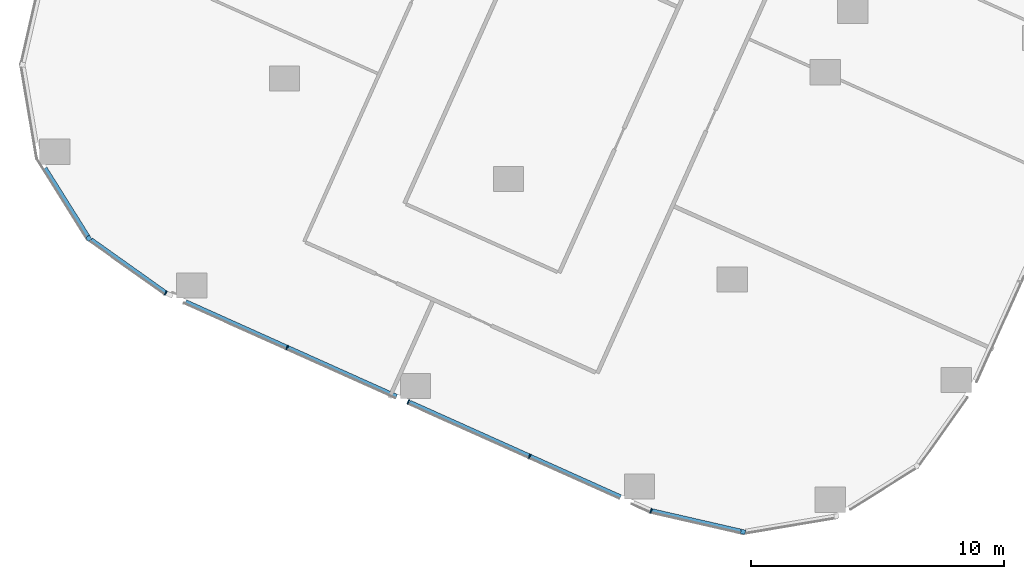
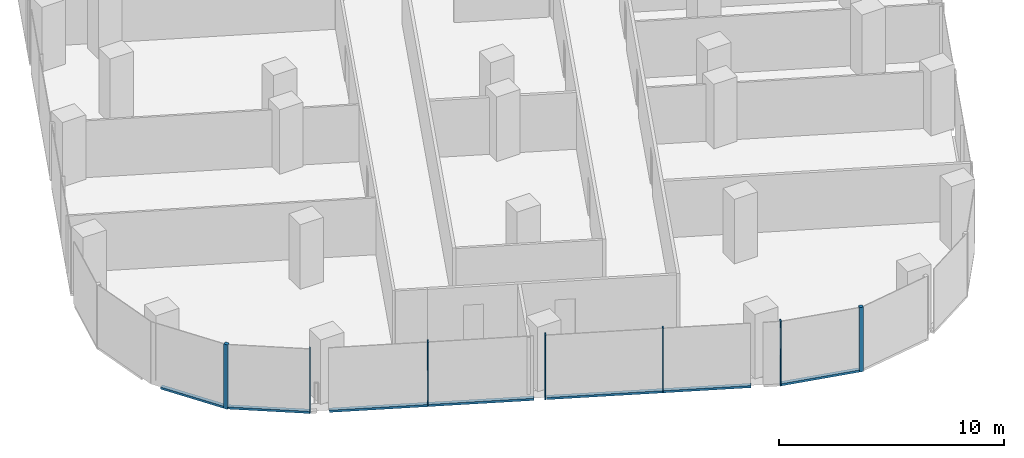
# One storey, part 2 of 34: 12 members, 4 elements without a shape of their own.
"""IFC4 building model written with IfcOpenShell, lengths in metres."""

from ifc_helpers import new_model, si_unit, direction, frame, origin, origin_2d, place, context, subcontext, project, spatial, rectangle, extrude, material, material_profile, profile_set, type_object, element, aggregate, save


model = new_model("IFC4")

# Units and contexts
model_context = context("Model", 3, precision=1e-05, world=origin(), true_north=direction((0.0, 1.0)))
body_context = subcontext(model_context, "Body", "Model", "MODEL_VIEW")
ifc_project = project(units=[si_unit("LENGTHUNIT", "METRE"), si_unit("AREAUNIT", "SQUARE_METRE"), si_unit("VOLUMEUNIT", "CUBIC_METRE"), si_unit("PLANEANGLEUNIT", "RADIAN"), si_unit("MASSUNIT", "GRAM", prefix="KILO")], contexts=[model_context])

# Site, building, storey
site_placement = place(None, origin())
site = spatial("IfcSite", under=ifc_project, at=site_placement, CompositionType="ELEMENT")
building_placement = place(site_placement, origin())
building = spatial("IfcBuilding", under=site, at=building_placement, Name="Orlundy Tower", CompositionType="ELEMENT")
storey_placement = place(building_placement, frame((0.0, 0.0, 127.199951171875)))
storey = spatial("IfcBuildingStorey", under=building, at=storey_placement, Name="L32", CompositionType="ELEMENT", Elevation=127.199951171875)

# Curtain wall, member
ifc_material_1 = material(Name="Aluminium bronze anodised", Category="aluminium")
curtain_wall_type = type_object("IfcCurtainWallType", Name="CW1 wall", PredefinedType="NOTDEFINED", material=ifc_material_1)
curtain_wall_1_placement = place(storey_placement, origin())
curtain_wall_1 = element("IfcCurtainWall", 1, at=curtain_wall_1_placement, inside=storey, type_object=curtain_wall_type, Name="CW1 run 022", PredefinedType="NOTDEFINED")
ifc_material_2 = material(Name="Aluminium bronze anodised", Category="aluminium")
ifc_material_profile_1 = material_profile(ifc_material_2, rectangle(XDim=0.179931640625, YDim=0.179931640625, at=origin_2d()), Name="CW1 corner post 180x180")
ifc_profile_set_1 = profile_set([ifc_material_profile_1], Name="Aluminium bronze anodised")
member_type_1 = type_object("IfcMemberType", Name="CW1 corner post 180x180", PredefinedType="MULLION", material=ifc_profile_set_1)
member_1_placement = place(storey_placement, frame((-11.57861328125, -60.416748046875, -0.39990234375), z_axis=(0.0, 0.0, 1.0), x_axis=(-0.223696612955, -0.974658825104, 0.0)))
member_1 = element("IfcMember", 2, at=member_1_placement, type_object=member_type_1, Name="CW1 mullion 60", PredefinedType="MULLION", context=body_context, shape_type="SweptSolid", body=[
    extrude(rectangle(XDim=0.179931640625, YDim=0.179931640625, at=origin_2d()), origin(), (0.0, 0.0, 1.0), 3.5),
])

curtain_wall_2_placement = place(storey_placement, origin())
curtain_wall_2 = element("IfcCurtainWall", 3, at=curtain_wall_2_placement, inside=storey, type_object=curtain_wall_type, Name="CW1 run 025", PredefinedType="NOTDEFINED")
member_2_placement = place(storey_placement, frame((-37.435791015625, -48.81396484375, -0.39990234375), z_axis=(0.0, 0.0, 1.0), x_axis=(-0.847285276564, -0.531138080086, 0.0)))
member_2 = element("IfcMember", 4, at=member_2_placement, type_object=member_type_1, Name="CW1 mullion 66", PredefinedType="MULLION", context=body_context, shape_type="SweptSolid", body=[
    extrude(rectangle(XDim=0.179931640625, YDim=0.179931640625, at=origin_2d()), origin(), (0.0, 0.0, 1.0), 3.5),
])

# Curtain wall, members
curtain_wall_3_placement = place(storey_placement, origin())
curtain_wall_3 = element("IfcCurtainWall", 5, at=curtain_wall_3_placement, inside=storey, type_object=curtain_wall_type, Name="CW1 run 023", PredefinedType="NOTDEFINED")
ifc_material_3 = material(Name="Aluminium bronze anodised", Category="aluminium")
ifc_material_profile_2 = material_profile(ifc_material_3, rectangle(XDim=0.179931640625, YDim=0.050048828125, at=origin_2d()), Name="CW1 mullion 50x180")
ifc_profile_set_2 = profile_set([ifc_material_profile_2], Name="Aluminium bronze anodised")
member_type_2 = type_object("IfcMemberType", Name="CW1 mullion 50x180", PredefinedType="MULLION", material=ifc_profile_set_2)
member_3_placement = place(storey_placement, frame((-15.216796875, -59.581787109375, -0.39990234375), z_axis=(0.0, 0.0, 1.0), x_axis=(-0.31806418757, -0.948069181329, 0.0)))
member_3 = element("IfcMember", 6, at=member_3_placement, type_object=member_type_2, Name="CW1 mullion 61", PredefinedType="MULLION", context=body_context, shape_type="SweptSolid", body=[
    extrude(rectangle(XDim=0.179931640625, YDim=0.050048828125, at=origin_2d()), origin(), (0.0, 0.0, 1.0), 3.5),
])
member_4_placement = place(storey_placement, frame((-20.014892578125, -57.428955078125, -0.39990234375), z_axis=(0.0, 0.0, 1.0), x_axis=(-0.409374450241, -0.912366461182, 0.0)))
member_4 = element("IfcMember", 7, at=member_4_placement, type_object=member_type_2, Name="CW1 mullion 62", PredefinedType="MULLION", context=body_context, shape_type="SweptSolid", body=[
    extrude(rectangle(XDim=0.179931640625, YDim=0.050048828125, at=origin_2d()), origin(), (0.0, 0.0, 1.0), 3.5),
])
member_5_placement = place(storey_placement, frame((-24.804931640625, -55.279541015625, -0.39990234375), z_axis=(0.0, 0.0, 1.0), x_axis=(-0.409374450241, -0.912366461182, 0.0)))
member_5 = element("IfcMember", 8, at=member_5_placement, type_object=member_type_2, Name="CW1 mullion 63", PredefinedType="MULLION", context=body_context, shape_type="SweptSolid", body=[
    extrude(rectangle(XDim=0.179931640625, YDim=0.050048828125, at=origin_2d()), origin(), (0.0, 0.0, 1.0), 3.5),
])
member_6_placement = place(storey_placement, frame((-29.5947265625, -53.13037109375, -0.39990234375), z_axis=(0.0, 0.0, 1.0), x_axis=(-0.409374450241, -0.912366461182, 0.0)))
member_6 = element("IfcMember", 9, at=member_6_placement, type_object=member_type_2, Name="CW1 mullion 64", PredefinedType="MULLION", context=body_context, shape_type="SweptSolid", body=[
    extrude(rectangle(XDim=0.179931640625, YDim=0.050048828125, at=origin_2d()), origin(), (0.0, 0.0, 1.0), 3.5),
])

# Curtain wall, member
curtain_wall_4_placement = place(storey_placement, origin())
curtain_wall_4 = element("IfcCurtainWall", 10, at=curtain_wall_4_placement, inside=storey, type_object=curtain_wall_type, Name="CW1 run 024", PredefinedType="NOTDEFINED")
member_7_placement = place(storey_placement, frame((-34.392822265625, -50.9775390625, -0.39990234375), z_axis=(0.0, 0.0, 1.0), x_axis=(-0.496816751201, -0.867855469376, 0.0)))
member_7 = element("IfcMember", 11, at=member_7_placement, type_object=member_type_2, Name="CW1 mullion 65", PredefinedType="MULLION", context=body_context, shape_type="SweptSolid", body=[
    extrude(rectangle(XDim=0.179931640625, YDim=0.050048828125, at=origin_2d()), origin(), (0.0, 0.0, 1.0), 3.5),
])

# Member
ifc_material_4 = material(Name="Aluminium bronze anodised", Category="aluminium")
ifc_material_profile_3 = material_profile(ifc_material_4, rectangle(XDim=0.179931640625, YDim=0.1201171875, at=origin_2d()), Name="CW1 transom 180x120")
ifc_profile_set_3 = profile_set([ifc_material_profile_3], Name="Aluminium bronze anodised")
member_type_3 = type_object("IfcMemberType", Name="CW1 transom 180x120", PredefinedType="USERDEFINED", material=ifc_profile_set_3)
member_8_placement = place(storey_placement, frame((-11.66650390625, -60.396484375, -0.33984375), z_axis=(-0.974667990207, 0.223656676329, 0.0), x_axis=(-0.223656676329, -0.974667990207, 0.0)))
member_8 = element("IfcMember", 12, at=member_8_placement, type_object=member_type_3, Name="CW1 transom", ObjectType="TRANSOM", PredefinedType="USERDEFINED", context=body_context, shape_type="SweptSolid", body=[
    extrude(rectangle(XDim=0.179931640625, YDim=0.1201171875, at=origin_2d()), origin(), (0.0, 0.0, 1.0), 3.617431640625),
])

aggregate(curtain_wall_1, [member_1, member_8])

member_9_placement = place(storey_placement, frame((-16.423095703125, -59.04052734375, -0.33984375), z_axis=(-0.912367920635, 0.409371197565, 0.0), x_axis=(-0.409371197565, -0.912367920635, 0.0)))
member_9 = element("IfcMember", 13, at=member_9_placement, type_object=member_type_3, Name="CW1 transom", ObjectType="TRANSOM", PredefinedType="USERDEFINED", context=body_context, shape_type="SweptSolid", body=[
    extrude(rectangle(XDim=0.179931640625, YDim=0.1201171875, at=origin_2d()), origin(), (0.0, 0.0, 1.0), 9.13720703125),
])

member_10_placement = place(storey_placement, frame((-25.27294921875, -55.069580078125, -0.33984375), z_axis=(-0.912372398272, 0.409361218084, 0.0), x_axis=(-0.409361218084, -0.912372398272, 0.0)))
member_10 = element("IfcMember", 14, at=member_10_placement, type_object=member_type_3, Name="CW1 transom", ObjectType="TRANSOM", PredefinedType="USERDEFINED", context=body_context, shape_type="SweptSolid", body=[
    extrude(rectangle(XDim=0.179931640625, YDim=0.1201171875, at=origin_2d()), origin(), (0.0, 0.0, 1.0), 9.137451171875),
])

aggregate(curtain_wall_3, [member_3, member_4, member_5, member_6, member_9, member_10])

member_11_placement = place(storey_placement, frame((-34.413330078125, -50.962890625, -0.33984375), z_axis=(-0.815001442814, 0.579458927114, 0.0), x_axis=(-0.579458927114, -0.815001442814, 0.0)))
member_11 = element("IfcMember", 15, at=member_11_placement, type_object=member_type_3, Name="CW1 transom", ObjectType="TRANSOM", PredefinedType="USERDEFINED", context=body_context, shape_type="SweptSolid", body=[
    extrude(rectangle(XDim=0.179931640625, YDim=0.1201171875, at=origin_2d()), origin(), (0.0, 0.0, 1.0), 3.611083984375),
])

aggregate(curtain_wall_4, [member_7, member_11])

member_12_placement = place(storey_placement, frame((-37.483642578125, -48.73779296875, -0.33984375), z_axis=(-0.531097295616, 0.847310841775, 0.0), x_axis=(-0.847310841775, -0.531097295616, 0.0)))
member_12 = element("IfcMember", 16, at=member_12_placement, type_object=member_type_3, Name="CW1 transom", ObjectType="TRANSOM", PredefinedType="USERDEFINED", context=body_context, shape_type="SweptSolid", body=[
    extrude(rectangle(XDim=0.179931640625, YDim=0.1201171875, at=origin_2d()), origin(), (0.0, 0.0, 1.0), 3.175537109375),
])

aggregate(curtain_wall_2, [member_2, member_12])

save(model, "model.ifc")
